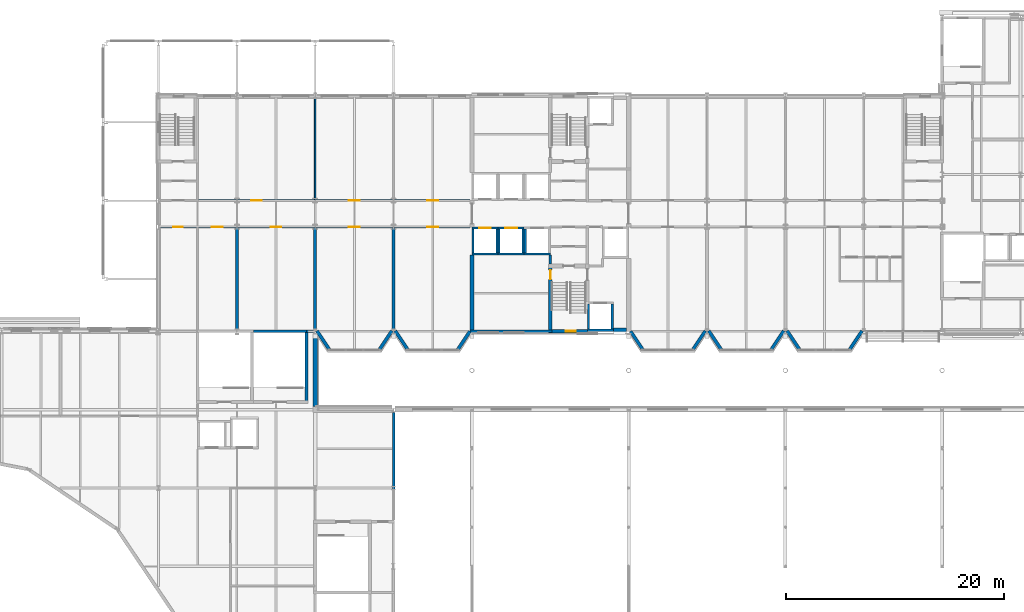
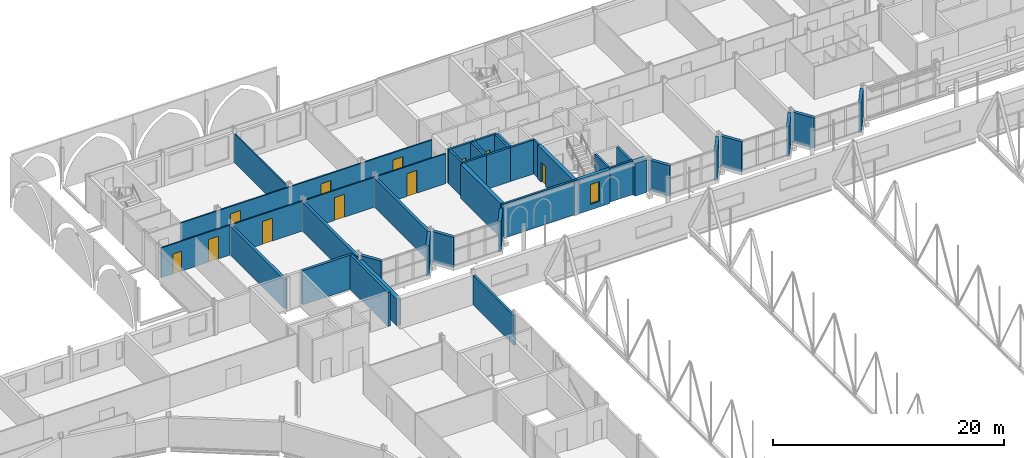
# One storey, part 97 of 142: 40 walls, 11 doors, 1 window, 12 openings.
"""IFC4 building model written with IfcOpenShell, lengths in metres."""

from ifc_helpers import new_model, si_unit, direction, frame, frame_2d, origin, place, context, subcontext, project, spatial, rectangle, extrude, material, layer, layer_set, type_object, element, fill, save


model = new_model("IFC4")

# Units and contexts
model_context = context("Model", 3, precision=1e-05, world=origin(), true_north=direction((0.0, 1.0)))
body_context = subcontext(model_context, "Body", "Model", "MODEL_VIEW")
ifc_project = project(units=[si_unit("LENGTHUNIT", "METRE"), si_unit("AREAUNIT", "SQUARE_METRE"), si_unit("VOLUMEUNIT", "CUBIC_METRE"), si_unit("PLANEANGLEUNIT", "RADIAN"), si_unit("MASSUNIT", "GRAM", prefix="KILO")], contexts=[model_context])

# Site, building, storey
site_placement = place(None, origin())
site = spatial("IfcSite", under=ifc_project, at=site_placement, CompositionType="ELEMENT")
building_placement = place(site_placement, origin())
building = spatial("IfcBuilding", under=site, at=building_placement, Name="Kupolbacken Congress Centre", CompositionType="ELEMENT")
storey_placement = place(building_placement, frame((0.0, 0.0, 14.39990234375)))
storey = spatial("IfcBuildingStorey", under=building, at=storey_placement, Name="L04", CompositionType="ELEMENT", Elevation=14.39990234375)

# Walls
ifc_material_1 = material(Name="Limestone", Category="masonry")
ifc_layer_1 = layer(ifc_material_1, 0.06005859375)
ifc_material_2 = material(Name="Air cavity", Category="air")
ifc_layer_2 = layer(ifc_material_2, 0.0400390625, ventilated=True)
ifc_material_3 = material(Name="Mineral wool", Category="insulation")
ifc_layer_3 = layer(ifc_material_3, 0.14990234375)
ifc_material_4 = material(Name="Steel studs", Category="metal")
ifc_layer_4 = layer(ifc_material_4, 0.050048828125)
ifc_layer_set_1 = layer_set([ifc_layer_1, ifc_layer_2, ifc_layer_3, ifc_layer_4], Name="Limestone / Mineral wool / Steel studs")
wall_type_1 = type_object("IfcWallType", Name="EW01 external cavity wall 300", PredefinedType="SOLIDWALL", material=ifc_layer_set_1)
for number, where, z_axis, x_axis, name in (
    (1, (79.353515625, 122.440185546875, 0.0), (0.0, 0.0, 1.0), (0.554700196225, -0.832050294338, 0.0), "E/T/cumba/L04/S/004/facW"),
    (2, (86.24658203125, 122.440185546875, 0.0), (0.0, 0.0, 1.0), (-0.554700196225, -0.832050294338, 0.0), "E/T/cumba/L04/S/004/facE"),
    (3, (86.553466796875, 122.440185546875, 0.0), (0.0, 0.0, 1.0), (0.554700196225, -0.832050294338, 0.0), "E/T/cumba/L04/S/008/facW"),
):
    element("IfcWall", number, at=place(storey_placement, frame(where, z_axis=z_axis, x_axis=x_axis)), inside=storey, type_object=wall_type_1, Name=name, PredefinedType="SOLIDWALL", context=body_context, shape_type="SweptSolid", body=[
        extrude(rectangle(XDim=2.11181640625, YDim=0.300048828125, at=frame_2d((1.055908203125, 0.0))), origin(), (0.0, 0.0, 1.0), 3.22021484375),
    ])
for number, where, z_axis, x_axis, name in (
    (4, (93.419677734375, 122.39990234375, 0.0), (0.0, 0.0, 1.0), (-0.554700196225, -0.832050294338, 0.0), "E/T/cumba/L04/S/008/facE"),
    (5, (108.180419921875, 122.39990234375, 0.0), (0.0, 0.0, 1.0), (0.554618271946, -0.832104904699, 0.0), "E/T/cumba/L04/S/012/facW"),
):
    element("IfcWall", number, at=place(storey_placement, frame(where, z_axis=z_axis, x_axis=x_axis)), inside=storey, type_object=wall_type_1, Name=name, PredefinedType="SOLIDWALL", context=body_context, shape_type="SweptSolid", body=[
        extrude(rectangle(XDim=2.063232421875, YDim=0.300048828125, at=frame_2d((1.03173828125, 0.0))), origin(), (0.0, 0.0, 1.0), 3.22021484375),
    ])
wall_1_placement = place(storey_placement, frame((115.04638671875, 122.440185546875, 0.0), z_axis=(0.0, 0.0, 1.0), x_axis=(-0.554620150341, -0.8321036527, 0.0)))
element("IfcWall", 6, at=wall_1_placement, inside=storey, type_object=wall_type_1, Name="E/T/cumba/L04/S/012/facE", PredefinedType="SOLIDWALL", context=body_context, shape_type="SweptSolid", body=[
    extrude(rectangle(XDim=2.111572265625, YDim=0.300048828125, at=frame_2d((1.0556640625, 0.0))), origin(), (0.0, 0.0, 1.0), 3.22021484375),
])
for number, where, z_axis, x_axis, name in (
    (7, (115.353515625, 122.440185546875, 0.0), (0.0, 0.0, 1.0), (0.554700196225, -0.832050294338, 0.0), "E/T/cumba/L04/S/016/facW"),
    (8, (122.24658203125, 122.440185546875, 0.0), (0.0, 0.0, 1.0), (-0.554700196225, -0.832050294338, 0.0), "E/T/cumba/L04/S/016/facE"),
    (9, (122.553466796875, 122.440185546875, 0.0), (0.0, 0.0, 1.0), (0.554700196225, -0.832050294338, 0.0), "E/T/cumba/L04/S/020/facW"),
    (10, (129.446533203125, 122.440185546875, 0.0), (0.0, 0.0, 1.0), (-0.554700196225, -0.832050294338, 0.0), "E/T/cumba/L04/S/020/facE"),
):
    element("IfcWall", number, at=place(storey_placement, frame(where, z_axis=z_axis, x_axis=x_axis)), inside=storey, type_object=wall_type_1, Name=name, PredefinedType="SOLIDWALL", context=body_context, shape_type="SweptSolid", body=[
        extrude(rectangle(XDim=2.11181640625, YDim=0.300048828125, at=frame_2d((1.055908203125, 0.0))), origin(), (0.0, 0.0, 1.0), 3.22021484375),
    ])
ifc_layer_5 = layer(ifc_material_1, 0.1201171875)
ifc_layer_6 = layer(ifc_material_2, 0.0400390625, ventilated=True)
ifc_layer_7 = layer(ifc_material_3, 0.159912109375)
ifc_material_5 = material(Name="Concrete block", Category="masonry")
ifc_layer_8 = layer(ifc_material_5, 0.1201171875)
ifc_layer_set_2 = layer_set([ifc_layer_5, ifc_layer_6, ifc_layer_7, ifc_layer_8], Name="Limestone / Mineral wool / Concrete block")
wall_type_2 = type_object("IfcWallType", Name="EW05 external cavity wall 440", PredefinedType="SOLIDWALL", material=ifc_layer_set_2)
wall_2_placement = place(storey_placement, frame((79.199951171875, 115.47998046875, 0.0), z_axis=(0.0, 0.0, 1.0), x_axis=(0.0, 1.0, 0.0)))
element("IfcWall", 11, at=wall_2_placement, inside=storey, type_object=wall_type_2, Name="E/P/E/L04/442", PredefinedType="SOLIDWALL", context=body_context, shape_type="SweptSolid", body=[
    extrude(rectangle(XDim=6.7041015625, YDim=0.43994140625, at=frame_2d((3.35205078125, 0.0))), origin(), (0.0, 0.0, 1.0), 2.820068359375),
])
ifc_material_6 = material(Name="Concrete C40/50", Category="concrete")
ifc_layer_9 = layer(ifc_material_6, 0.35009765625)
ifc_layer_10 = layer(ifc_material_3, 0.1220703125)
ifc_layer_11 = layer(ifc_material_2, 0.0400390625, ventilated=True)
ifc_material_7 = material(Name="Brick", Category="masonry")
ifc_layer_12 = layer(ifc_material_7, 0.10791015625)
ifc_layer_set_3 = layer_set([ifc_layer_9, ifc_layer_10, ifc_layer_11, ifc_layer_12], Name="Concrete C40/50 / Mineral wool / Brick")
wall_type_3 = type_object("IfcWallType", Name="EW10 external cavity wall 620", PredefinedType="SOLIDWALL", material=ifc_layer_set_3)
wall_3_placement = place(storey_placement, frame((106.60009765625, 122.39990234375, 0.0), z_axis=(0.0, 0.0, 1.0), x_axis=(1.0, 0.0, 0.0)))
element("IfcWall", 12, at=wall_3_placement, inside=storey, type_object=wall_type_3, Name="E/T/S/L04/056", PredefinedType="SOLIDWALL", context=body_context, shape_type="SweptSolid", body=[
    extrude(rectangle(XDim=1.199951171875, YDim=0.6201171875, at=frame_2d((0.60009765625, 0.0))), origin(), (0.0, 0.0, 1.0), 3.460205078125),
])

# Wall, openings, doors
ifc_material_8 = material(Name="Gypsum board", Category="drywall")
ifc_layer_13 = layer(ifc_material_8, 0.135009765625)
ifc_layer_set_4 = layer_set([ifc_layer_13], Name="Gypsum board")
wall_type_4 = type_object("IfcWallType", Name="P06 compartment wall 135", PredefinedType="PARTITIONING", material=ifc_layer_set_4)
wall_4_placement = place(storey_placement, frame((64.989990234375, 132.0, 0.0), z_axis=(0.0, 0.0, 1.0), x_axis=(1.0, 0.0, 0.0)))
wall_4 = element("IfcWall", 13, at=wall_4_placement, inside=storey, type_object=wall_type_4, Name="T/wall/L04/x/13200/6480", PredefinedType="PARTITIONING", context=body_context, shape_type="SweptSolid", body=[
    extrude(rectangle(XDim=28.409912109375, YDim=0.135009765625, at=frame_2d((14.205078125, 0.0))), origin(), (0.0, 0.0, 1.0), 3.16015625),
])
opening_1_placement = place(wall_4_placement, frame((1.18505859375, 0.0, 0.0)))
opening_1 = element("IfcOpeningElement", 14, at=opening_1_placement, cuts=wall_4, Name="Opening D3", PredefinedType="OPENING", context=body_context, shape_type="SweptSolid", body=[
    extrude(rectangle(XDim=0.85009765625, YDim=2.10009765625, at=frame_2d((0.425048828125, 1.050048828125))), frame((0.0, 0.077392578125, 0.0), z_axis=(0.0, -1.0, 0.0), x_axis=(1.0, 0.0, 0.0)), (0.0, 0.0, 1.0), 0.155029296875),
])
opening_2_placement = place(wall_4_placement, frame((4.7099609375, 0.0, 0.0)))
opening_2 = element("IfcOpeningElement", 15, at=opening_2_placement, cuts=wall_4, Name="Opening D8", PredefinedType="OPENING", context=body_context, shape_type="SweptSolid", body=[
    extrude(rectangle(XDim=1.0, YDim=2.39990234375, at=frame_2d((0.5, 1.199951171875))), frame((0.0, 0.077392578125, 0.0), z_axis=(0.0, -1.0, 0.0), x_axis=(1.0, 0.0, 0.0)), (0.0, 0.0, 1.0), 0.155029296875),
])
opening_3_placement = place(wall_4_placement, frame((10.110107421875, 0.0, 0.0)))
opening_3 = element("IfcOpeningElement", 16, at=opening_3_placement, cuts=wall_4, Name="Opening D8", PredefinedType="OPENING", context=body_context, shape_type="SweptSolid", body=[
    extrude(rectangle(XDim=1.0, YDim=2.39990234375, at=frame_2d((0.5, 1.199951171875))), frame((0.0, 0.077392578125, 0.0), z_axis=(0.0, -1.0, 0.0), x_axis=(1.0, 0.0, 0.0)), (0.0, 0.0, 1.0), 0.155029296875),
])
opening_4_placement = place(wall_4_placement, frame((17.31005859375, 0.0, 0.0)))
opening_4 = element("IfcOpeningElement", 17, at=opening_4_placement, cuts=wall_4, Name="Opening D8", PredefinedType="OPENING", context=body_context, shape_type="SweptSolid", body=[
    extrude(rectangle(XDim=1.0, YDim=2.39990234375, at=frame_2d((0.5, 1.199951171875))), frame((0.0, 0.077392578125, 0.0), z_axis=(0.0, -1.0, 0.0), x_axis=(1.0, 0.0, 0.0)), (0.0, 0.0, 1.0), 0.155029296875),
])
opening_5_placement = place(wall_4_placement, frame((24.510009765625, 0.0, 0.0)))
opening_5 = element("IfcOpeningElement", 18, at=opening_5_placement, cuts=wall_4, Name="Opening D8", PredefinedType="OPENING", context=body_context, shape_type="SweptSolid", body=[
    extrude(rectangle(XDim=1.0, YDim=2.39990234375, at=frame_2d((0.5, 1.199951171875))), frame((0.0, 0.077392578125, 0.0), z_axis=(0.0, -1.0, 0.0), x_axis=(1.0, 0.0, 0.0)), (0.0, 0.0, 1.0), 0.155029296875),
])
ifc_material_9 = material(Name="Steel fire door leaf", Category="steel")
door_type_1 = type_object("IfcDoorType", Name="D3 fire door 850x2100", OperationType="SINGLE_SWING_LEFT", PredefinedType="DOOR", material=ifc_material_9)
door_1_placement = place(opening_1_placement, frame((0.85009765625, 0.0, 0.0), z_axis=(0.0, 0.0, 1.0), x_axis=(-1.0, 0.0, 0.0)))
door_1 = element("IfcDoor", 19, at=door_1_placement, inside=storey, type_object=door_type_1, Name="T/wall/L04/x/13200/6480/D-WE-D", OperationType="SINGLE_SWING_LEFT", OverallHeight=2.10009765625, OverallWidth=0.85009765625, PredefinedType="DOOR", context=body_context, shape_type="SweptSolid", body=[
    extrude(rectangle(XDim=0.85009765625, YDim=2.10009765625, at=frame_2d((0.425048828125, 1.050048828125))), frame((0.0, 0.02490234375, 0.0), z_axis=(0.0, -1.0, 0.0), x_axis=(1.0, 0.0, 0.0)), (0.0, 0.0, 1.0), 0.050048828125),
])
fill(opening_1, door_1)
ifc_material_10 = material(Name="Steel fire door leaf", Category="steel")
door_type_2 = type_object("IfcDoorType", Name="D8 fire door 1000x2400", OperationType="SINGLE_SWING_LEFT", PredefinedType="DOOR", material=ifc_material_10)
door_2_placement = place(opening_2_placement, frame((1.0, 0.0, 0.0), z_axis=(0.0, 0.0, 1.0), x_axis=(-1.0, 0.0, 0.0)))
door_2 = element("IfcDoor", 20, at=door_2_placement, inside=storey, type_object=door_type_2, Name="T/wall/L04/x/13200/6480/D-BK1-S1", OperationType="SINGLE_SWING_RIGHT", OverallHeight=2.39990234375, OverallWidth=1.0, PredefinedType="DOOR", context=body_context, shape_type="SweptSolid", body=[
    extrude(rectangle(XDim=1.0, YDim=2.39990234375, at=frame_2d((0.5, 1.199951171875))), frame((0.0, 0.02490234375, 0.0), z_axis=(0.0, -1.0, 0.0), x_axis=(1.0, 0.0, 0.0)), (0.0, 0.0, 1.0), 0.050048828125),
])
fill(opening_2, door_2)
door_3_placement = place(opening_3_placement, frame((1.0, 0.0, 0.0), z_axis=(0.0, 0.0, 1.0), x_axis=(-1.0, 0.0, 0.0)))
door_3 = element("IfcDoor", 21, at=door_3_placement, inside=storey, type_object=door_type_2, Name="T/wall/L04/x/13200/6480/D-MR1-S1", OperationType="SINGLE_SWING_LEFT", OverallHeight=2.39990234375, OverallWidth=1.0, PredefinedType="DOOR", context=body_context, shape_type="SweptSolid", body=[
    extrude(rectangle(XDim=1.0, YDim=2.39990234375, at=frame_2d((0.5, 1.199951171875))), frame((0.0, 0.02490234375, 0.0), z_axis=(0.0, -1.0, 0.0), x_axis=(1.0, 0.0, 0.0)), (0.0, 0.0, 1.0), 0.050048828125),
])
fill(opening_3, door_3)
door_4_placement = place(opening_4_placement, origin())
door_4 = element("IfcDoor", 22, at=door_4_placement, inside=storey, type_object=door_type_2, Name="T/wall/L04/x/13200/6480/D-MR2-S1", OperationType="SINGLE_SWING_LEFT", OverallHeight=2.39990234375, OverallWidth=1.0, PredefinedType="DOOR", context=body_context, shape_type="SweptSolid", body=[
    extrude(rectangle(XDim=1.0, YDim=2.39990234375, at=frame_2d((0.5, 1.199951171875))), frame((0.0, 0.02490234375, 0.0), z_axis=(0.0, -1.0, 0.0), x_axis=(1.0, 0.0, 0.0)), (0.0, 0.0, 1.0), 0.050048828125),
])
fill(opening_4, door_4)
door_5_placement = place(opening_5_placement, origin())
door_5 = element("IfcDoor", 23, at=door_5_placement, inside=storey, type_object=door_type_2, Name="T/wall/L04/x/13200/6480/D-MR3-S1", OperationType="SINGLE_SWING_LEFT", OverallHeight=2.39990234375, OverallWidth=1.0, PredefinedType="DOOR", context=body_context, shape_type="SweptSolid", body=[
    extrude(rectangle(XDim=1.0, YDim=2.39990234375, at=frame_2d((0.5, 1.199951171875))), frame((0.0, 0.02490234375, 0.0), z_axis=(0.0, -1.0, 0.0), x_axis=(1.0, 0.0, 0.0)), (0.0, 0.0, 1.0), 0.050048828125),
])
fill(opening_5, door_5)

wall_5_placement = place(storey_placement, frame((68.330078125, 134.39990234375, 0.0), z_axis=(0.0, 0.0, 1.0), x_axis=(1.0, 0.0, 0.0)))
wall_5 = element("IfcWall", 24, at=wall_5_placement, inside=storey, type_object=wall_type_4, Name="T/wall/L04/x/13440/6840", PredefinedType="PARTITIONING", context=body_context, shape_type="SweptSolid", body=[
    extrude(rectangle(XDim=25.06982421875, YDim=0.135009765625, at=frame_2d((12.534912109375, 0.0))), origin(), (0.0, 0.0, 1.0), 3.16015625),
])
opening_6_placement = place(wall_5_placement, frame((4.969970703125, 0.0, 0.0)))
opening_6 = element("IfcOpeningElement", 25, at=opening_6_placement, cuts=wall_5, Name="Opening D8", PredefinedType="OPENING", context=body_context, shape_type="SweptSolid", body=[
    extrude(rectangle(XDim=1.0, YDim=2.39990234375, at=frame_2d((0.5, 1.199951171875))), frame((0.0, 0.077392578125, 0.0), z_axis=(0.0, -1.0, 0.0), x_axis=(1.0, 0.0, 0.0)), (0.0, 0.0, 1.0), 0.155029296875),
])
opening_7_placement = place(wall_5_placement, frame((13.969970703125, 0.0, 0.0)))
opening_7 = element("IfcOpeningElement", 26, at=opening_7_placement, cuts=wall_5, Name="Opening D8", PredefinedType="OPENING", context=body_context, shape_type="SweptSolid", body=[
    extrude(rectangle(XDim=1.0, YDim=2.39990234375, at=frame_2d((0.5, 1.199951171875))), frame((0.0, 0.077392578125, 0.0), z_axis=(0.0, -1.0, 0.0), x_axis=(1.0, 0.0, 0.0)), (0.0, 0.0, 1.0), 0.155029296875),
])
opening_8_placement = place(wall_5_placement, frame((21.169921875, 0.0, 0.0)))
opening_8 = element("IfcOpeningElement", 27, at=opening_8_placement, cuts=wall_5, Name="Opening D8", PredefinedType="OPENING", context=body_context, shape_type="SweptSolid", body=[
    extrude(rectangle(XDim=1.0, YDim=2.39990234375, at=frame_2d((0.5, 1.199951171875))), frame((0.0, 0.077392578125, 0.0), z_axis=(0.0, -1.0, 0.0), x_axis=(1.0, 0.0, 0.0)), (0.0, 0.0, 1.0), 0.155029296875),
])
door_6_placement = place(opening_6_placement, frame((1.0, 0.0, 0.0), z_axis=(0.0, 0.0, 1.0), x_axis=(-1.0, 0.0, 0.0)))
door_6 = element("IfcDoor", 28, at=door_6_placement, inside=storey, type_object=door_type_2, Name="T/wall/L04/x/13440/6840/D-DL-S1", OperationType="SINGLE_SWING_LEFT", OverallHeight=2.39990234375, OverallWidth=1.0, PredefinedType="DOOR", context=body_context, shape_type="SweptSolid", body=[
    extrude(rectangle(XDim=1.0, YDim=2.39990234375, at=frame_2d((0.5, 1.199951171875))), frame((0.0, 0.02490234375, 0.0), z_axis=(0.0, -1.0, 0.0), x_axis=(1.0, 0.0, 0.0)), (0.0, 0.0, 1.0), 0.050048828125),
])
fill(opening_6, door_6)
door_7_placement = place(opening_7_placement, origin())
door_7 = element("IfcDoor", 29, at=door_7_placement, inside=storey, type_object=door_type_2, Name="T/wall/L04/x/13440/6840/D-IP4-S1", OperationType="SINGLE_SWING_RIGHT", OverallHeight=2.39990234375, OverallWidth=1.0, PredefinedType="DOOR", context=body_context, shape_type="SweptSolid", body=[
    extrude(rectangle(XDim=1.0, YDim=2.39990234375, at=frame_2d((0.5, 1.199951171875))), frame((0.0, 0.02490234375, 0.0), z_axis=(0.0, -1.0, 0.0), x_axis=(1.0, 0.0, 0.0)), (0.0, 0.0, 1.0), 0.050048828125),
])
fill(opening_7, door_7)
door_8_placement = place(opening_8_placement, origin())
door_8 = element("IfcDoor", 30, at=door_8_placement, inside=storey, type_object=door_type_2, Name="T/wall/L04/x/13440/6840/D-ORG-S1", OperationType="SINGLE_SWING_LEFT", OverallHeight=2.39990234375, OverallWidth=1.0, PredefinedType="DOOR", context=body_context, shape_type="SweptSolid", body=[
    extrude(rectangle(XDim=1.0, YDim=2.39990234375, at=frame_2d((0.5, 1.199951171875))), frame((0.0, 0.02490234375, 0.0), z_axis=(0.0, -1.0, 0.0), x_axis=(1.0, 0.0, 0.0)), (0.0, 0.0, 1.0), 0.050048828125),
])
fill(opening_8, door_8)

# Walls
wall_6_placement = place(storey_placement, frame((79.199951171875, 134.467529296875, 0.0), z_axis=(0.0, 0.0, 1.0), x_axis=(0.0, 1.0, 0.0)))
element("IfcWall", 31, at=wall_6_placement, inside=storey, type_object=wall_type_4, Name="T/wall/L04/y/7920/13440", PredefinedType="PARTITIONING", context=body_context, shape_type="SweptSolid", body=[
    extrude(rectangle(XDim=9.342529296875, YDim=0.135009765625, at=frame_2d((4.67138671875, 0.0))), origin(), (0.0, 0.0, 1.0), 3.06005859375),
])
ifc_material_11 = material(Name="Gypsum board", Category="drywall")
ifc_layer_14 = layer(ifc_material_11, 0.22509765625)
ifc_layer_set_5 = layer_set([ifc_layer_14], Name="Gypsum board")
wall_type_5 = type_object("IfcWallType", Name="P11 compartment wall 225", PredefinedType="PARTITIONING", material=ifc_layer_set_5)
wall_7_placement = place(storey_placement, frame((78.39990234375, 122.39990234375, 0.0), z_axis=(0.0, 0.0, 1.0), x_axis=(1.0, 0.0, 0.0)))
element("IfcWall", 32, at=wall_7_placement, inside=storey, type_object=wall_type_5, Name="E/T/party/L04/10", PredefinedType="PARTITIONING", context=body_context, shape_type="SweptSolid", body=[
    extrude(rectangle(XDim=0.646484375, YDim=0.22509765625, at=frame_2d((0.3232421875, 0.0))), origin(), (0.0, 0.0, 1.0), 3.22021484375),
])
ifc_material_12 = material(Name="Gypsum board", Category="drywall")
ifc_layer_15 = layer(ifc_material_12, 0.27490234375)
ifc_layer_set_6 = layer_set([ifc_layer_15], Name="Gypsum board")
wall_type_6 = type_object("IfcWallType", Name="P12 partition 275", PredefinedType="PARTITIONING", material=ifc_layer_set_6)
for number, where, z_axis, x_axis, name in (
    (33, (72.0, 122.590087890625, 0.0), (0.0, 0.0, 1.0), (0.0, 1.0, 0.0), "T/wall/L04/y/7200/12240"),
    (34, (79.199951171875, 122.590087890625, 0.0), (0.0, 0.0, 1.0), (0.0, 1.0, 0.0), "T/wall/L04/y/7920/12240"),
):
    element("IfcWall", number, at=place(storey_placement, frame(where, z_axis=z_axis, x_axis=x_axis)), inside=storey, type_object=wall_type_6, Name=name, PredefinedType="PARTITIONING", context=body_context, shape_type="SweptSolid", body=[
        extrude(rectangle(XDim=9.342529296875, YDim=0.27490234375, at=frame_2d((4.67138671875, 0.0))), origin(), (0.0, 0.0, 1.0), 3.06005859375),
    ])
wall_8_placement = place(storey_placement, frame((86.39990234375, 122.60009765625, 0.0), z_axis=(0.0, 0.0, 1.0), x_axis=(0.0, 1.0, 0.0)))
element("IfcWall", 35, at=wall_8_placement, inside=storey, type_object=wall_type_6, Name="T/wall/L04/y/8640/12080", PredefinedType="PARTITIONING", context=body_context, shape_type="SweptSolid", body=[
    extrude(rectangle(XDim=9.33251953125, YDim=0.27490234375, at=frame_2d((4.666259765625, 0.0))), origin(), (0.0, 0.0, 1.0), 3.06005859375),
])
ifc_material_13 = material(Name="Dense concrete block", Category="masonry")
ifc_layer_16 = layer(ifc_material_13, 0.215087890625)
ifc_layer_set_7 = layer_set([ifc_layer_16], Name="Dense concrete block")
wall_type_7 = type_object("IfcWallType", Name="P15 partition 215", PredefinedType="PARTITIONING", material=ifc_layer_set_7)
wall_9_placement = place(storey_placement, frame((86.39990234375, 107.85498046875, 0.0), z_axis=(0.0, 0.0, 1.0), x_axis=(0.0, 1.0, 0.0)))
element("IfcWall", 36, at=wall_9_placement, inside=storey, type_object=wall_type_7, Name="PD/L04/W017.h1", PredefinedType="PARTITIONING", context=body_context, shape_type="SweptSolid", body=[
    extrude(rectangle(XDim=7.06494140625, YDim=0.215087890625, at=frame_2d((3.532470703125, 0.0))), origin(), (0.0, 0.0, 1.0), 3.1201171875),
])
ifc_material_14 = material(Name="Concrete C40/50", Category="concrete")
ifc_layer_17 = layer(ifc_material_14, 0.199951171875)
ifc_layer_set_8 = layer_set([ifc_layer_17], Name="Concrete C40/50")
wall_type_8 = type_object("IfcWallType", Name="WC1 RC shaft wall 200", PredefinedType="SHEAR", material=ifc_layer_set_8)
wall_10_placement = place(storey_placement, frame((93.39990234375, 122.39990234375, 0.0), z_axis=(0.0, 0.0, 1.0), x_axis=(1.0, 0.0, 0.0)))
element("IfcWall", 37, at=wall_10_placement, inside=storey, type_object=wall_type_8, Name="Shaft wall L04-078", PredefinedType="SHEAR", context=body_context, shape_type="SweptSolid", body=[
    extrude(rectangle(XDim=7.5751953125, YDim=0.199951171875, at=frame_2d((3.78759765625, 0.0))), origin(), (0.0, 0.0, 1.0), 3.60009765625),
])
wall_11_placement = place(storey_placement, frame((100.800048828125, 128.574951171875, 0.0), z_axis=(0.0, 0.0, 1.0), x_axis=(0.0, 1.0, 0.0)))
element("IfcWall", 38, at=wall_11_placement, inside=storey, type_object=wall_type_8, Name="Shaft wall L04-091", PredefinedType="SHEAR", context=body_context, shape_type="SweptSolid", body=[
    extrude(rectangle(XDim=0.824951171875, YDim=0.199951171875, at=frame_2d((0.41259765625, 0.0))), origin(), (0.0, 0.0, 1.0), 3.60009765625),
])
wall_12_placement = place(storey_placement, frame((93.60009765625, 129.5, 0.0), z_axis=(0.0, 0.0, 1.0), x_axis=(1.0, 0.0, 0.0)))
element("IfcWall", 39, at=wall_12_placement, inside=storey, type_object=wall_type_8, Name="Shaft wall LP9", PredefinedType="SHEAR", context=body_context, shape_type="SweptSolid", body=[
    extrude(rectangle(XDim=2.39990234375, YDim=0.199951171875, at=frame_2d((1.199951171875, 0.0))), origin(), (0.0, 0.0, 1.0), 3.60009765625),
])

# Wall, opening, door
wall_13_placement = place(storey_placement, frame((93.60009765625, 131.89990234375, 0.0), z_axis=(0.0, 0.0, 1.0), x_axis=(1.0, 0.0, 0.0)))
wall_13 = element("IfcWall", 40, at=wall_13_placement, inside=storey, type_object=wall_type_8, Name="Shaft wall LP9", PredefinedType="SHEAR", context=body_context, shape_type="SweptSolid", body=[
    extrude(rectangle(XDim=2.39990234375, YDim=0.199951171875, at=frame_2d((1.199951171875, 0.0))), origin(), (0.0, 0.0, 1.0), 3.60009765625),
])
opening_9_placement = place(wall_13_placement, frame((0.64990234375, 0.0, 0.0)))
opening_9 = element("IfcOpeningElement", 41, at=opening_9_placement, cuts=wall_13, Name="Opening LD2", PredefinedType="OPENING", context=body_context, shape_type="SweptSolid", body=[
    extrude(rectangle(XDim=1.10009765625, YDim=2.10009765625, at=frame_2d((0.550048828125, 1.050048828125))), frame((0.0, 0.10986328125, 0.0), z_axis=(0.0, -1.0, 0.0), x_axis=(1.0, 0.0, 0.0)), (0.0, 0.0, 1.0), 0.219970703125),
])
ifc_material_15 = material(Name="Stainless steel door leaf", Category="steel")
door_type_3 = type_object("IfcDoorType", Name="LD2 lift landing door 1100x2100", OperationType="SLIDING_TO_LEFT", PredefinedType="DOOR", material=ifc_material_15)
door_9_placement = place(opening_9_placement, origin())
door_9 = element("IfcDoor", 42, at=door_9_placement, inside=storey, type_object=door_type_3, Name="Lift landing door LP9", OperationType="SLIDING_TO_LEFT", OverallHeight=2.10009765625, OverallWidth=1.10009765625, PredefinedType="DOOR", context=body_context, shape_type="SweptSolid", body=[
    extrude(rectangle(XDim=1.10009765625, YDim=2.10009765625, at=frame_2d((0.550048828125, 1.050048828125))), frame((0.0, 0.02490234375, 0.0), z_axis=(0.0, -1.0, 0.0), x_axis=(1.0, 0.0, 0.0)), (0.0, 0.0, 1.0), 0.050048828125),
])
fill(opening_9, door_9)

# Walls
for number, where, z_axis, x_axis, name in (
    (43, (93.699951171875, 129.60009765625, 0.0), (0.0, 0.0, 1.0), (0.0, 1.0, 0.0), "Shaft wall LP9"),
    (44, (95.89990234375, 129.60009765625, 0.0), (0.0, 0.0, 1.0), (0.0, 1.0, 0.0), "Shaft wall LP9"),
):
    element("IfcWall", number, at=place(storey_placement, frame(where, z_axis=z_axis, x_axis=x_axis)), inside=storey, type_object=wall_type_8, Name=name, PredefinedType="SHEAR", context=body_context, shape_type="SweptSolid", body=[
        extrude(rectangle(XDim=2.199951171875, YDim=0.199951171875, at=frame_2d((1.10009765625, 0.0))), origin(), (0.0, 0.0, 1.0), 3.60009765625),
    ])
wall_14_placement = place(storey_placement, frame((96.0, 129.5, 0.0), z_axis=(0.0, 0.0, 1.0), x_axis=(1.0, 0.0, 0.0)))
element("IfcWall", 45, at=wall_14_placement, inside=storey, type_object=wall_type_8, Name="Shaft wall LP10", PredefinedType="SHEAR", context=body_context, shape_type="SweptSolid", body=[
    extrude(rectangle(XDim=2.39990234375, YDim=0.199951171875, at=frame_2d((1.199951171875, 0.0))), origin(), (0.0, 0.0, 1.0), 3.60009765625),
])

# Wall, opening, door
wall_15_placement = place(storey_placement, frame((96.0, 131.89990234375, 0.0), z_axis=(0.0, 0.0, 1.0), x_axis=(1.0, 0.0, 0.0)))
wall_15 = element("IfcWall", 46, at=wall_15_placement, inside=storey, type_object=wall_type_8, Name="Shaft wall LP10", PredefinedType="SHEAR", context=body_context, shape_type="SweptSolid", body=[
    extrude(rectangle(XDim=2.39990234375, YDim=0.199951171875, at=frame_2d((1.199951171875, 0.0))), origin(), (0.0, 0.0, 1.0), 3.60009765625),
])
opening_10_placement = place(wall_15_placement, frame((0.64990234375, 0.0, 0.0)))
opening_10 = element("IfcOpeningElement", 47, at=opening_10_placement, cuts=wall_15, Name="Opening LD2", PredefinedType="OPENING", context=body_context, shape_type="SweptSolid", body=[
    extrude(rectangle(XDim=1.10009765625, YDim=2.10009765625, at=frame_2d((0.550048828125, 1.050048828125))), frame((0.0, 0.10986328125, 0.0), z_axis=(0.0, -1.0, 0.0), x_axis=(1.0, 0.0, 0.0)), (0.0, 0.0, 1.0), 0.219970703125),
])
door_10_placement = place(opening_10_placement, origin())
door_10 = element("IfcDoor", 48, at=door_10_placement, inside=storey, type_object=door_type_3, Name="Lift landing door LP10", OperationType="SLIDING_TO_LEFT", OverallHeight=2.10009765625, OverallWidth=1.10009765625, PredefinedType="DOOR", context=body_context, shape_type="SweptSolid", body=[
    extrude(rectangle(XDim=1.10009765625, YDim=2.10009765625, at=frame_2d((0.550048828125, 1.050048828125))), frame((0.0, 0.02490234375, 0.0), z_axis=(0.0, -1.0, 0.0), x_axis=(1.0, 0.0, 0.0)), (0.0, 0.0, 1.0), 0.050048828125),
])
fill(opening_10, door_10)

# Walls
for number, where, z_axis, x_axis, name in (
    (49, (96.10009765625, 129.60009765625, 0.0), (0.0, 0.0, 1.0), (0.0, 1.0, 0.0), "Shaft wall LP10"),
    (50, (98.300048828125, 129.60009765625, 0.0), (0.0, 0.0, 1.0), (0.0, 1.0, 0.0), "Shaft wall LP10"),
):
    element("IfcWall", number, at=place(storey_placement, frame(where, z_axis=z_axis, x_axis=x_axis)), inside=storey, type_object=wall_type_8, Name=name, PredefinedType="SHEAR", context=body_context, shape_type="SweptSolid", body=[
        extrude(rectangle(XDim=2.199951171875, YDim=0.199951171875, at=frame_2d((1.10009765625, 0.0))), origin(), (0.0, 0.0, 1.0), 3.60009765625),
    ])
wall_16_placement = place(storey_placement, frame((98.39990234375, 129.5, 0.0), z_axis=(0.0, 0.0, 1.0), x_axis=(1.0, 0.0, 0.0)))
element("IfcWall", 51, at=wall_16_placement, inside=storey, type_object=wall_type_8, Name="Shaft wall LP11", PredefinedType="SHEAR", context=body_context, shape_type="SweptSolid", body=[
    extrude(rectangle(XDim=2.400146484375, YDim=0.199951171875, at=frame_2d((1.2001953125, 0.0))), origin(), (0.0, 0.0, 1.0), 3.60009765625),
])
wall_17_placement = place(storey_placement, frame((98.5, 129.60009765625, 0.0), z_axis=(0.0, 0.0, 1.0), x_axis=(0.0, 1.0, 0.0)))
element("IfcWall", 52, at=wall_17_placement, inside=storey, type_object=wall_type_8, Name="Shaft wall LP11", PredefinedType="SHEAR", context=body_context, shape_type="SweptSolid", body=[
    extrude(rectangle(XDim=2.199951171875, YDim=0.199951171875, at=frame_2d((1.10009765625, 0.0))), origin(), (0.0, 0.0, 1.0), 3.60009765625),
])
wall_18_placement = place(storey_placement, frame((104.199951171875, 122.5, 0.0), z_axis=(0.0, 0.0, 1.0), x_axis=(1.0, 0.0, 0.0)))
element("IfcWall", 53, at=wall_18_placement, inside=storey, type_object=wall_type_8, Name="Shaft wall LF1", PredefinedType="SHEAR", context=body_context, shape_type="SweptSolid", body=[
    extrude(rectangle(XDim=2.400146484375, YDim=0.199951171875, at=frame_2d((1.2001953125, 0.0))), origin(), (0.0, 0.0, 1.0), 3.60009765625),
])
for number, where, z_axis, x_axis, name in (
    (54, (104.300048828125, 122.60009765625, 0.0), (0.0, 0.0, 1.0), (0.0, 1.0, 0.0), "Shaft wall LF1"),
    (55, (106.5, 122.60009765625, 0.0), (0.0, 0.0, 1.0), (0.0, 1.0, 0.0), "Shaft wall LF1"),
):
    element("IfcWall", number, at=place(storey_placement, frame(where, z_axis=z_axis, x_axis=x_axis)), inside=storey, type_object=wall_type_8, Name=name, PredefinedType="SHEAR", context=body_context, shape_type="SweptSolid", body=[
        extrude(rectangle(XDim=2.2998046875, YDim=0.199951171875, at=frame_2d((1.14990234375, 0.0))), origin(), (0.0, 0.0, 1.0), 3.60009765625),
    ])
ifc_material_16 = material(Name="Concrete C40/50", Category="concrete")
ifc_layer_18 = layer(ifc_material_16, 0.25)
ifc_layer_set_9 = layer_set([ifc_layer_18], Name="Concrete C40/50")
wall_type_9 = type_object("IfcWallType", Name="WC2 RC stair enclosure wall 250", PredefinedType="SHEAR", material=ifc_layer_set_9)
wall_19_placement = place(storey_placement, frame((78.39990234375, 115.77490234375, 0.0), z_axis=(0.0, 0.0, 1.0), x_axis=(0.0, 1.0, 0.0)))
element("IfcWall", 56, at=wall_19_placement, inside=storey, type_object=wall_type_9, Name="Stair enclosure wall L04-071", PredefinedType="SHEAR", context=body_context, shape_type="SweptSolid", body=[
    extrude(rectangle(XDim=6.75, YDim=0.25, at=frame_2d((3.375, 0.0))), origin(), (0.0, 0.0, 1.0), 3.60009765625),
])
wall_20_placement = place(storey_placement, frame((78.52490234375, 122.39990234375, 0.0), z_axis=(0.0, 0.0, 1.0), x_axis=(-1.0, 0.0, 0.0)))
element("IfcWall", 57, at=wall_20_placement, inside=storey, type_object=wall_type_9, Name="Stair enclosure wall L04-077", PredefinedType="SHEAR", context=body_context, shape_type="SweptSolid", body=[
    extrude(rectangle(XDim=5.0, YDim=0.25, at=frame_2d((2.5, 0.0))), origin(), (0.0, 0.0, 1.0), 3.60009765625),
])

# Wall, opening, window
ifc_material_17 = material(Name="Concrete C40/50", Category="concrete")
ifc_layer_19 = layer(ifc_material_17, 0.35009765625)
ifc_layer_set_10 = layer_set([ifc_layer_19], Name="Concrete C40/50")
wall_type_10 = type_object("IfcWallType", Name="WC4 RC core wall 350", PredefinedType="SHEAR", material=ifc_layer_set_10)
wall_21_placement = place(storey_placement, frame((100.97509765625, 122.39990234375, 0.0), z_axis=(0.0, 0.0, 1.0), x_axis=(1.0, 0.0, 0.0)))
wall_21 = element("IfcWall", 58, at=wall_21_placement, inside=storey, type_object=wall_type_10, Name="Core wall L04-079", PredefinedType="SHEAR", context=body_context, shape_type="SweptSolid", body=[
    extrude(rectangle(XDim=3.224853515625, YDim=0.35009765625, at=frame_2d((1.6123046875, 0.0))), origin(), (0.0, 0.0, 1.0), 3.60009765625),
])
opening_11_placement = place(wall_21_placement, frame((1.25, 0.0, 0.60009765625)))
opening_11 = element("IfcOpeningElement", 59, at=opening_11_placement, cuts=wall_21, Name="Opening W28", PredefinedType="OPENING", context=body_context, shape_type="SweptSolid", body=[
    extrude(rectangle(XDim=0.89990234375, YDim=2.10009765625, at=frame_2d((0.449951171875, 1.050048828125))), frame((0.0, 0.18505859375, 0.0), z_axis=(0.0, -1.0, 0.0), x_axis=(1.0, 0.0, 0.0)), (0.0, 0.0, 1.0), 0.3701171875),
])
ifc_material_18 = material(Name="Aluminium frame with double or triple glazing", Category="aluminium")
window_type = type_object("IfcWindowType", Name="W28 window 900x2100", PartitioningType="SINGLE_PANEL", PredefinedType="WINDOW", material=ifc_material_18)
window_placement = place(opening_11_placement, origin())
window = element("IfcWindow", 60, at=window_placement, inside=storey, type_object=window_type, Name="S/core/L04/079/WW28", OverallHeight=2.10009765625, OverallWidth=0.89990234375, PartitioningType="SINGLE_PANEL", PredefinedType="WINDOW", context=body_context, shape_type="SweptSolid", body=[
    extrude(rectangle(XDim=0.89990234375, YDim=2.10009765625, at=frame_2d((0.449951171875, 1.050048828125))), frame((0.0, 0.030029296875, 0.0), z_axis=(0.0, -1.0, 0.0), x_axis=(1.0, 0.0, 0.0)), (0.0, 0.0, 1.0), 0.06005859375),
])
fill(opening_11, window)

# Wall, opening, door
wall_22_placement = place(storey_placement, frame((100.800048828125, 128.574951171875, 0.0), z_axis=(0.0, 0.0, 1.0), x_axis=(0.0, -1.0, 0.0)))
wall_22 = element("IfcWall", 61, at=wall_22_placement, inside=storey, type_object=wall_type_10, Name="Core wall L04-090", PredefinedType="SHEAR", context=body_context, shape_type="SweptSolid", body=[
    extrude(rectangle(XDim=6.349853515625, YDim=0.35009765625, at=frame_2d((3.1748046875, 0.0))), origin(), (0.0, 0.0, 1.0), 3.60009765625),
])
opening_12_placement = place(wall_22_placement, frame((0.550048828125, 0.0, 0.0)))
opening_12 = element("IfcOpeningElement", 62, at=opening_12_placement, cuts=wall_22, Name="Opening D3", PredefinedType="OPENING", context=body_context, shape_type="SweptSolid", body=[
    extrude(rectangle(XDim=0.85009765625, YDim=2.10009765625, at=frame_2d((0.425048828125, 1.050048828125))), frame((0.0, 0.18505859375, 0.0), z_axis=(0.0, -1.0, 0.0), x_axis=(1.0, 0.0, 0.0)), (0.0, 0.0, 1.0), 0.3701171875),
])
door_11_placement = place(opening_12_placement, origin())
door_11 = element("IfcDoor", 63, at=door_11_placement, inside=storey, type_object=door_type_1, Name="S/core/L04/090/D-TR1-A", OperationType="SINGLE_SWING_RIGHT", OverallHeight=2.10009765625, OverallWidth=0.85009765625, PredefinedType="DOOR", context=body_context, shape_type="SweptSolid", body=[
    extrude(rectangle(XDim=0.85009765625, YDim=2.10009765625, at=frame_2d((0.425048828125, 1.050048828125))), frame((0.0, 0.02490234375, 0.0), z_axis=(0.0, -1.0, 0.0), x_axis=(1.0, 0.0, 0.0)), (0.0, 0.0, 1.0), 0.050048828125),
])
fill(opening_12, door_11)

# Wall
ifc_material_19 = material(Name="Concrete C40/50", Category="concrete")
ifc_layer_20 = layer(ifc_material_19, 0.39990234375)
ifc_layer_set_11 = layer_set([ifc_layer_20], Name="Concrete C40/50")
wall_type_11 = type_object("IfcWallType", Name="WC5 RC core wall 400", PredefinedType="SHEAR", material=ifc_layer_set_11)
wall_23_placement = place(storey_placement, frame((93.60009765625, 129.39990234375, 0.0), z_axis=(0.0, 0.0, 1.0), x_axis=(0.0, -1.0, 0.0)))
element("IfcWall", 64, at=wall_23_placement, inside=storey, type_object=wall_type_11, Name="Core wall L04-100", PredefinedType="SHEAR", context=body_context, shape_type="SweptSolid", body=[
    extrude(rectangle(XDim=7.099853515625, YDim=0.39990234375, at=frame_2d((3.5498046875, 0.0))), origin(), (0.0, 0.0, 1.0), 3.60009765625),
])

save(model, "model.ifc")
